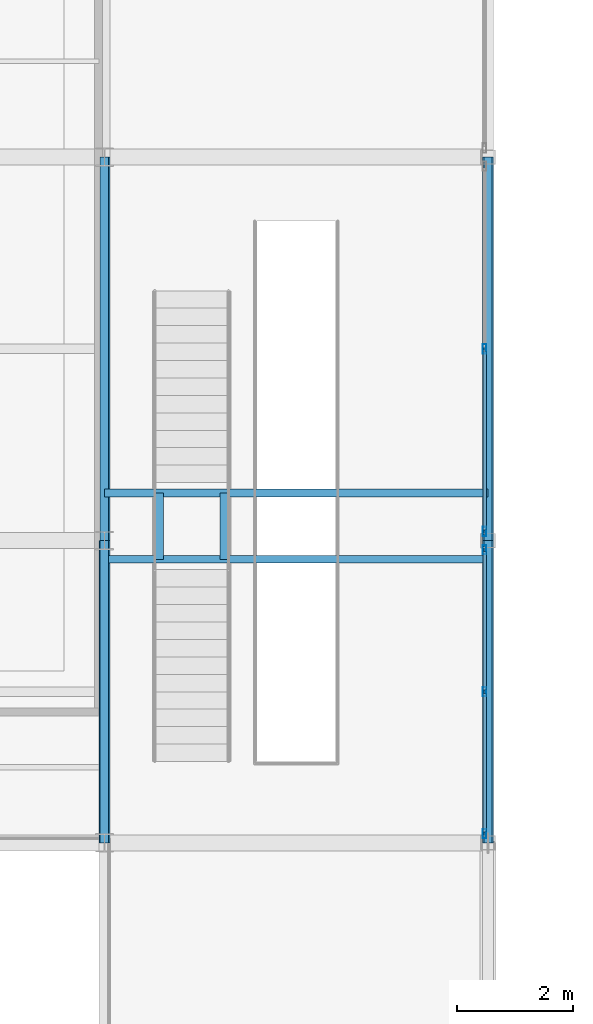
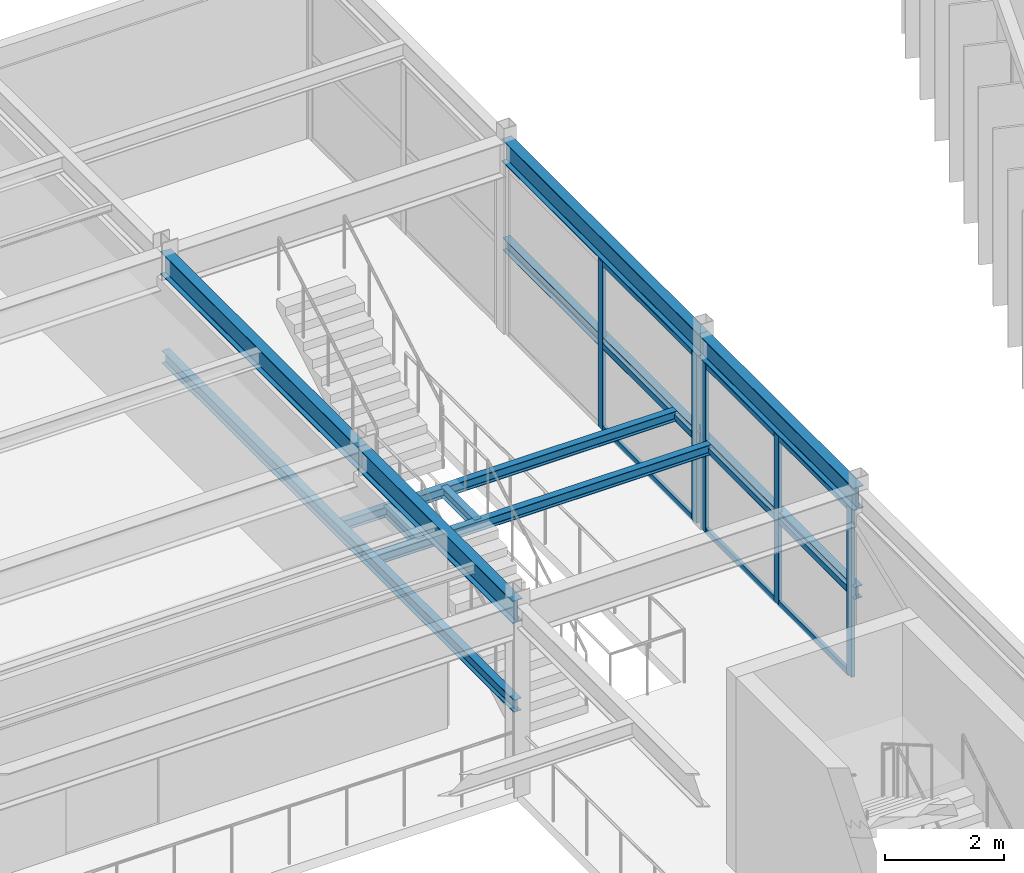
# One storey, part 40 of 148: 14 members, 12 beams, 2 elements without a shape of their own.
"""IFC4 building model written with IfcOpenShell, lengths in metres."""

from ifc_helpers import new_model, si_unit, direction, frame, origin, origin_2d, place, context, subcontext, project, spatial, hollow_rectangle, i_section, extrude, material, material_profile, profile_set, type_object, element, aggregate, save


model = new_model("IFC4")

# Units and contexts
model_context = context("Model", 3, precision=1e-05, world=origin(), true_north=direction((0.0, 1.0)))
body_context = subcontext(model_context, "Body", "Model", "MODEL_VIEW")
ifc_project = project(units=[si_unit("LENGTHUNIT", "METRE"), si_unit("AREAUNIT", "SQUARE_METRE"), si_unit("VOLUMEUNIT", "CUBIC_METRE"), si_unit("PLANEANGLEUNIT", "RADIAN"), si_unit("MASSUNIT", "GRAM", prefix="KILO")], contexts=[model_context])

# Site, building, storey
site_placement = place(None, origin())
site = spatial("IfcSite", under=ifc_project, at=site_placement, CompositionType="ELEMENT")
building_placement = place(site_placement, origin())
building = spatial("IfcBuilding", under=site, at=building_placement, Name="Karori Crest Natural Sciences Institute", CompositionType="ELEMENT")
storey_placement = place(building_placement, frame((0.0, 0.0, 4.89990234375)))
storey = spatial("IfcBuildingStorey", under=building, at=storey_placement, Name="L01", CompositionType="ELEMENT", Elevation=4.89990234375)

# Beams
ifc_material_1 = material(Name="Structural steel AS/NZS 3679.1 Grade 350", Category="steel")
ifc_material_profile_1 = material_profile(ifc_material_1, i_section(OverallWidth=0.19091796875, OverallDepth=0.4599609375, WebThickness=0.010009765625, FlangeThickness=0.01611328125, FilletRadius=0.010986328125, at=origin_2d()), Name="460UB82.1")
ifc_profile_set_1 = profile_set([ifc_material_profile_1], Name="Structural steel AS/NZS 3679.1 Grade 350")
beam_type_1 = type_object("IfcBeamType", Name="BT-06", PredefinedType="BEAM", material=ifc_profile_set_1)
beam_1_placement = place(storey_placement, frame((20.60009765625, 55.0, 3.690185546875), z_axis=(0.0, 1.0, 0.0), x_axis=(-1.0, 0.0, 0.0)))
element("IfcBeam", 1, at=beam_1_placement, inside=storey, type_object=beam_type_1, Name="Beam B-1046", PredefinedType="BEAM", context=body_context, shape_type="SweptSolid", body=[
    extrude(i_section(OverallWidth=0.19091796875, OverallDepth=0.4599609375, WebThickness=0.010009765625, FlangeThickness=0.01611328125, FilletRadius=0.010986328125, at=origin_2d()), origin(), (0.0, 0.0, 1.0), 5.199951171875),
])
beam_2_placement = place(storey_placement, frame((20.60009765625, 60.199951171875, 3.690185546875), z_axis=(0.0, 1.0, 0.0), x_axis=(-1.0, 0.0, 0.0)))
element("IfcBeam", 2, at=beam_2_placement, inside=storey, type_object=beam_type_1, Name="Beam B-1047", PredefinedType="BEAM", context=body_context, shape_type="SweptSolid", body=[
    extrude(i_section(OverallWidth=0.19091796875, OverallDepth=0.4599609375, WebThickness=0.010009765625, FlangeThickness=0.01611328125, FilletRadius=0.010986328125, at=origin_2d()), origin(), (0.0, 0.0, 1.0), 6.60009765625),
])
ifc_material_profile_2 = material_profile(ifc_material_1, i_section(OverallWidth=0.19091796875, OverallDepth=0.4599609375, WebThickness=0.010009765625, FlangeThickness=0.01611328125, FilletRadius=0.010986328125, at=origin_2d()), Name="460UB82.1")
ifc_profile_set_2 = profile_set([ifc_material_profile_2], Name="Structural steel AS/NZS 3679.1 Grade 350")
beam_type_2 = type_object("IfcBeamType", Name="BT-06-EL", PredefinedType="BEAM", material=ifc_profile_set_2)
beam_3_placement = place(storey_placement, frame((27.199951171875, 55.0, 3.690185546875), z_axis=(0.0, 1.0, 0.0), x_axis=(-1.0, 0.0, 0.0)))
element("IfcBeam", 3, at=beam_3_placement, inside=storey, type_object=beam_type_2, Name="Beam B-1053", PredefinedType="BEAM", context=body_context, shape_type="SweptSolid", body=[
    extrude(i_section(OverallWidth=0.19091796875, OverallDepth=0.4599609375, WebThickness=0.010009765625, FlangeThickness=0.01611328125, FilletRadius=0.010986328125, at=origin_2d()), origin(), (0.0, 0.0, 1.0), 5.199951171875),
])
beam_4_placement = place(storey_placement, frame((27.199951171875, 60.199951171875, 3.690185546875), z_axis=(0.0, 1.0, 0.0), x_axis=(-1.0, 0.0, 0.0)))
element("IfcBeam", 4, at=beam_4_placement, inside=storey, type_object=beam_type_2, Name="Beam B-1054", PredefinedType="BEAM", context=body_context, shape_type="SweptSolid", body=[
    extrude(i_section(OverallWidth=0.19091796875, OverallDepth=0.4599609375, WebThickness=0.010009765625, FlangeThickness=0.01611328125, FilletRadius=0.010986328125, at=origin_2d()), origin(), (0.0, 0.0, 1.0), 6.60009765625),
])
ifc_material_profile_3 = material_profile(ifc_material_1, i_section(OverallWidth=0.14599609375, OverallDepth=0.256103515625, WebThickness=0.00634765625, FlangeThickness=0.010986328125, FilletRadius=0.009033203125, at=origin_2d()), Name="250UB37.3")
ifc_profile_set_3 = profile_set([ifc_material_profile_3], Name="Structural steel AS/NZS 3679.1 Grade 350")
beam_type_3 = type_object("IfcBeamType", Name="BT-11-IL", PredefinedType="BEAM", material=ifc_profile_set_3)
beam_5_placement = place(storey_placement, frame((20.60009765625, 55.0, 1.76220703125), z_axis=(0.0, 1.0, 0.0), x_axis=(-1.0, 0.0, 0.0)))
element("IfcBeam", 5, at=beam_5_placement, inside=storey, type_object=beam_type_3, Name="Stair stringer girder ST-12", PredefinedType="BEAM", context=body_context, shape_type="SweptSolid", body=[
    extrude(i_section(OverallWidth=0.14599609375, OverallDepth=0.256103515625, WebThickness=0.00634765625, FlangeThickness=0.010986328125, FilletRadius=0.009033203125, at=origin_2d()), origin(), (0.0, 0.0, 1.0), 5.199951171875),
])
beam_6_placement = place(storey_placement, frame((20.60009765625, 60.199951171875, 1.76220703125), z_axis=(0.0, 1.0, 0.0), x_axis=(-1.0, 0.0, 0.0)))
element("IfcBeam", 6, at=beam_6_placement, inside=storey, type_object=beam_type_3, Name="Stair stringer girder ST-12", PredefinedType="BEAM", context=body_context, shape_type="SweptSolid", body=[
    extrude(i_section(OverallWidth=0.14599609375, OverallDepth=0.256103515625, WebThickness=0.00634765625, FlangeThickness=0.010986328125, FilletRadius=0.009033203125, at=origin_2d()), origin(), (0.0, 0.0, 1.0), 6.60009765625),
])
beam_7_placement = place(storey_placement, frame((27.199951171875, 55.0, 1.76220703125), z_axis=(0.0, 1.0, 0.0), x_axis=(-1.0, 0.0, 0.0)))
element("IfcBeam", 7, at=beam_7_placement, inside=storey, type_object=beam_type_3, Name="Stair stringer girder ST-12", PredefinedType="BEAM", context=body_context, shape_type="SweptSolid", body=[
    extrude(i_section(OverallWidth=0.14599609375, OverallDepth=0.256103515625, WebThickness=0.00634765625, FlangeThickness=0.010986328125, FilletRadius=0.009033203125, at=origin_2d()), origin(), (0.0, 0.0, 1.0), 5.199951171875),
])
beam_8_placement = place(storey_placement, frame((27.199951171875, 60.199951171875, 1.76220703125), z_axis=(0.0, 1.0, 0.0), x_axis=(-1.0, 0.0, 0.0)))
element("IfcBeam", 8, at=beam_8_placement, inside=storey, type_object=beam_type_3, Name="Stair stringer girder ST-12", PredefinedType="BEAM", context=body_context, shape_type="SweptSolid", body=[
    extrude(i_section(OverallWidth=0.14599609375, OverallDepth=0.256103515625, WebThickness=0.00634765625, FlangeThickness=0.010986328125, FilletRadius=0.009033203125, at=origin_2d()), origin(), (0.0, 0.0, 1.0), 6.60009765625),
])
ifc_material_profile_4 = material_profile(ifc_material_1, i_section(OverallWidth=0.134033203125, OverallDepth=0.20703125, WebThickness=0.00634765625, FlangeThickness=0.009521484375, FilletRadius=0.009033203125, at=origin_2d()), Name="200UB29.8")
ifc_profile_set_4 = profile_set([ifc_material_profile_4], Name="Structural steel AS/NZS 3679.1 Grade 350")
beam_type_4 = type_object("IfcBeamType", Name="BT-13-IL", PredefinedType="BEAM", material=ifc_profile_set_4)
for number, where, z_axis, x_axis, name in (
    (9, (20.60009765625, 59.8798828125, 1.7861328125), (1.0, 0.0, 0.0), (0.0, 1.0, 0.0), "Stair landing trimmer ST-12"),
    (10, (20.60009765625, 61.02001953125, 1.7861328125), (1.0, 0.0, 0.0), (0.0, 1.0, 0.0), "Stair landing trimmer ST-12"),
):
    element("IfcBeam", number, at=place(storey_placement, frame(where, z_axis=z_axis, x_axis=x_axis)), inside=storey, type_object=beam_type_4, Name=name, PredefinedType="BEAM", context=body_context, shape_type="SweptSolid", body=[
        extrude(i_section(OverallWidth=0.134033203125, OverallDepth=0.20703125, WebThickness=0.00634765625, FlangeThickness=0.009521484375, FilletRadius=0.009033203125, at=origin_2d()), origin(), (0.0, 0.0, 1.0), 6.599853515625),
    ])
for number, where, z_axis, x_axis, name in (
    (11, (21.544921875, 59.8798828125, 1.7861328125), (0.0, 1.0, 0.0), (-1.0, 0.0, 0.0), "Stair landing joist ST-12"),
    (12, (22.655029296875, 59.8798828125, 1.7861328125), (0.0, 1.0, 0.0), (-1.0, 0.0, 0.0), "Stair landing joist ST-12"),
):
    element("IfcBeam", number, at=place(storey_placement, frame(where, z_axis=z_axis, x_axis=x_axis)), inside=storey, type_object=beam_type_4, Name=name, PredefinedType="BEAM", context=body_context, shape_type="SweptSolid", body=[
        extrude(i_section(OverallWidth=0.134033203125, OverallDepth=0.20703125, WebThickness=0.00634765625, FlangeThickness=0.009521484375, FilletRadius=0.009033203125, at=origin_2d()), origin(), (0.0, 0.0, 1.0), 1.14013671875),
    ])

# Curtain wall, members
ifc_material_2 = material(Name="Anodised architectural aluminium 6063-T6", Category="aluminium")
curtain_wall_type = type_object("IfcCurtainWallType", Name="CWT-18", PredefinedType="NOTDEFINED", material=ifc_material_2)
curtain_wall_1_placement = place(storey_placement, origin())
curtain_wall_1 = element("IfcCurtainWall", 13, at=curtain_wall_1_placement, inside=storey, type_object=curtain_wall_type, Name="Curtain wall CW-0267", PredefinedType="NOTDEFINED")
ifc_material_profile_5 = material_profile(ifc_material_2, hollow_rectangle(XDim=0.06494140625, YDim=0.159912109375, WallThickness=0.00390625, at=origin_2d()), Name="CWM160x65x4")
ifc_profile_set_5 = profile_set([ifc_material_profile_5], Name="Anodised architectural aluminium 6063-T6")
member_type_1 = type_object("IfcMemberType", Name="CWM-01", PredefinedType="MULLION", material=ifc_profile_set_5)
member_1_placement = place(storey_placement, frame((27.139892578125, 60.04443359375, 0.0), z_axis=(0.0, 0.0, 1.0), x_axis=(1.0, 0.0, 0.0)))
member_1 = element("IfcMember", 14, at=member_1_placement, type_object=member_type_1, Name="CW-0267 mullion 1", PredefinedType="MULLION", context=body_context, shape_type="SweptSolid", body=[
    extrude(hollow_rectangle(XDim=0.06494140625, YDim=0.159912109375, WallThickness=0.00390625, at=origin_2d()), origin(), (0.0, 0.0, 1.0), 3.445068359375),
])
member_2_placement = place(storey_placement, frame((27.139892578125, 57.60009765625, 0.0), z_axis=(0.0, 0.0, 1.0), x_axis=(1.0, 0.0, 0.0)))
member_2 = element("IfcMember", 15, at=member_2_placement, type_object=member_type_1, Name="CW-0267 mullion 2", PredefinedType="MULLION", context=body_context, shape_type="SweptSolid", body=[
    extrude(hollow_rectangle(XDim=0.06494140625, YDim=0.159912109375, WallThickness=0.00390625, at=origin_2d()), origin(), (0.0, 0.0, 1.0), 3.445068359375),
])
member_3_placement = place(storey_placement, frame((27.139892578125, 55.155517578125, 0.0), z_axis=(0.0, 0.0, 1.0), x_axis=(1.0, 0.0, 0.0)))
member_3 = element("IfcMember", 16, at=member_3_placement, type_object=member_type_1, Name="CW-0267 mullion 3", PredefinedType="MULLION", context=body_context, shape_type="SweptSolid", body=[
    extrude(hollow_rectangle(XDim=0.06494140625, YDim=0.159912109375, WallThickness=0.00390625, at=origin_2d()), origin(), (0.0, 0.0, 1.0), 3.445068359375),
])

curtain_wall_2_placement = place(storey_placement, origin())
curtain_wall_2 = element("IfcCurtainWall", 17, at=curtain_wall_2_placement, inside=storey, type_object=curtain_wall_type, Name="Curtain wall CW-0268", PredefinedType="NOTDEFINED")
member_4_placement = place(storey_placement, frame((27.139892578125, 63.5, 0.0), z_axis=(0.0, 0.0, 1.0), x_axis=(1.0, 0.0, 0.0)))
member_4 = element("IfcMember", 18, at=member_4_placement, type_object=member_type_1, Name="CW-0268 mullion 2", PredefinedType="MULLION", context=body_context, shape_type="SweptSolid", body=[
    extrude(hollow_rectangle(XDim=0.06494140625, YDim=0.159912109375, WallThickness=0.00390625, at=origin_2d()), origin(), (0.0, 0.0, 1.0), 3.445068359375),
])
member_5_placement = place(storey_placement, frame((27.139892578125, 60.35546875, 0.0), z_axis=(0.0, 0.0, 1.0), x_axis=(1.0, 0.0, 0.0)))
member_5 = element("IfcMember", 19, at=member_5_placement, type_object=member_type_1, Name="CW-0268 mullion 3", PredefinedType="MULLION", context=body_context, shape_type="SweptSolid", body=[
    extrude(hollow_rectangle(XDim=0.06494140625, YDim=0.159912109375, WallThickness=0.00390625, at=origin_2d()), origin(), (0.0, 0.0, 1.0), 3.445068359375),
])

# Member
ifc_material_profile_6 = material_profile(ifc_material_2, hollow_rectangle(XDim=0.06005859375, YDim=0.1201171875, WallThickness=0.00390625, at=origin_2d()), Name="CWT120x60x4")
ifc_profile_set_6 = profile_set([ifc_material_profile_6], Name="Anodised architectural aluminium 6063-T6")
member_type_2 = type_object("IfcMemberType", Name="CWT-TR1", PredefinedType="USERDEFINED", material=ifc_profile_set_6)
member_6_placement = place(storey_placement, frame((27.139892578125, 60.011962890625, 0.030029296875), z_axis=(0.0, -1.0, 0.0), x_axis=(1.0, 0.0, 0.0)))
member_6 = element("IfcMember", 20, at=member_6_placement, type_object=member_type_2, Name="CW-0267 transom 1.1", ObjectType="TRANSOM", PredefinedType="USERDEFINED", context=body_context, shape_type="SweptSolid", body=[
    extrude(hollow_rectangle(XDim=0.06005859375, YDim=0.1201171875, WallThickness=0.00390625, at=origin_2d()), origin(), (0.0, 0.0, 1.0), 2.37939453125),
])

member_7_placement = place(storey_placement, frame((27.139892578125, 60.011962890625, 1.72265625), z_axis=(0.0, -1.0, 0.0), x_axis=(1.0, 0.0, 0.0)))
member_7 = element("IfcMember", 21, at=member_7_placement, type_object=member_type_2, Name="CW-0267 transom 1.2", ObjectType="TRANSOM", PredefinedType="USERDEFINED", context=body_context, shape_type="SweptSolid", body=[
    extrude(hollow_rectangle(XDim=0.06005859375, YDim=0.1201171875, WallThickness=0.00390625, at=origin_2d()), origin(), (0.0, 0.0, 1.0), 2.37939453125),
])

member_8_placement = place(storey_placement, frame((27.139892578125, 60.011962890625, 3.4150390625), z_axis=(0.0, -1.0, 0.0), x_axis=(1.0, 0.0, 0.0)))
member_8 = element("IfcMember", 22, at=member_8_placement, type_object=member_type_2, Name="CW-0267 transom 1.3", ObjectType="TRANSOM", PredefinedType="USERDEFINED", context=body_context, shape_type="SweptSolid", body=[
    extrude(hollow_rectangle(XDim=0.06005859375, YDim=0.1201171875, WallThickness=0.00390625, at=origin_2d()), origin(), (0.0, 0.0, 1.0), 2.37939453125),
])

member_9_placement = place(storey_placement, frame((27.139892578125, 57.5673828125, 0.030029296875), z_axis=(0.0, -1.0, 0.0), x_axis=(1.0, 0.0, 0.0)))
member_9 = element("IfcMember", 23, at=member_9_placement, type_object=member_type_2, Name="CW-0267 transom 2.1", ObjectType="TRANSOM", PredefinedType="USERDEFINED", context=body_context, shape_type="SweptSolid", body=[
    extrude(hollow_rectangle(XDim=0.06005859375, YDim=0.1201171875, WallThickness=0.00390625, at=origin_2d()), origin(), (0.0, 0.0, 1.0), 2.37939453125),
])

member_10_placement = place(storey_placement, frame((27.139892578125, 57.5673828125, 1.72265625), z_axis=(0.0, -1.0, 0.0), x_axis=(1.0, 0.0, 0.0)))
member_10 = element("IfcMember", 24, at=member_10_placement, type_object=member_type_2, Name="CW-0267 transom 2.2", ObjectType="TRANSOM", PredefinedType="USERDEFINED", context=body_context, shape_type="SweptSolid", body=[
    extrude(hollow_rectangle(XDim=0.06005859375, YDim=0.1201171875, WallThickness=0.00390625, at=origin_2d()), origin(), (0.0, 0.0, 1.0), 2.37939453125),
])

member_11_placement = place(storey_placement, frame((27.139892578125, 57.5673828125, 3.4150390625), z_axis=(0.0, -1.0, 0.0), x_axis=(1.0, 0.0, 0.0)))
member_11 = element("IfcMember", 25, at=member_11_placement, type_object=member_type_2, Name="CW-0267 transom 2.3", ObjectType="TRANSOM", PredefinedType="USERDEFINED", context=body_context, shape_type="SweptSolid", body=[
    extrude(hollow_rectangle(XDim=0.06005859375, YDim=0.1201171875, WallThickness=0.00390625, at=origin_2d()), origin(), (0.0, 0.0, 1.0), 2.37939453125),
])

aggregate(curtain_wall_1, [member_1, member_2, member_3, member_6, member_7, member_8, member_9, member_10, member_11])

member_12_placement = place(storey_placement, frame((27.139892578125, 63.467529296875, 0.030029296875), z_axis=(0.0, -1.0, 0.0), x_axis=(1.0, 0.0, 0.0)))
member_12 = element("IfcMember", 26, at=member_12_placement, type_object=member_type_2, Name="CW-0268 transom 2.1", ObjectType="TRANSOM", PredefinedType="USERDEFINED", context=body_context, shape_type="SweptSolid", body=[
    extrude(hollow_rectangle(XDim=0.06005859375, YDim=0.1201171875, WallThickness=0.00390625, at=origin_2d()), origin(), (0.0, 0.0, 1.0), 3.07958984375),
])

member_13_placement = place(storey_placement, frame((27.139892578125, 63.467529296875, 1.72265625), z_axis=(0.0, -1.0, 0.0), x_axis=(1.0, 0.0, 0.0)))
member_13 = element("IfcMember", 27, at=member_13_placement, type_object=member_type_2, Name="CW-0268 transom 2.2", ObjectType="TRANSOM", PredefinedType="USERDEFINED", context=body_context, shape_type="SweptSolid", body=[
    extrude(hollow_rectangle(XDim=0.06005859375, YDim=0.1201171875, WallThickness=0.00390625, at=origin_2d()), origin(), (0.0, 0.0, 1.0), 3.07958984375),
])

member_14_placement = place(storey_placement, frame((27.139892578125, 63.467529296875, 3.4150390625), z_axis=(0.0, -1.0, 0.0), x_axis=(1.0, 0.0, 0.0)))
member_14 = element("IfcMember", 28, at=member_14_placement, type_object=member_type_2, Name="CW-0268 transom 2.3", ObjectType="TRANSOM", PredefinedType="USERDEFINED", context=body_context, shape_type="SweptSolid", body=[
    extrude(hollow_rectangle(XDim=0.06005859375, YDim=0.1201171875, WallThickness=0.00390625, at=origin_2d()), origin(), (0.0, 0.0, 1.0), 3.07958984375),
])

aggregate(curtain_wall_2, [member_4, member_5, member_12, member_13, member_14])

save(model, "model.ifc")
